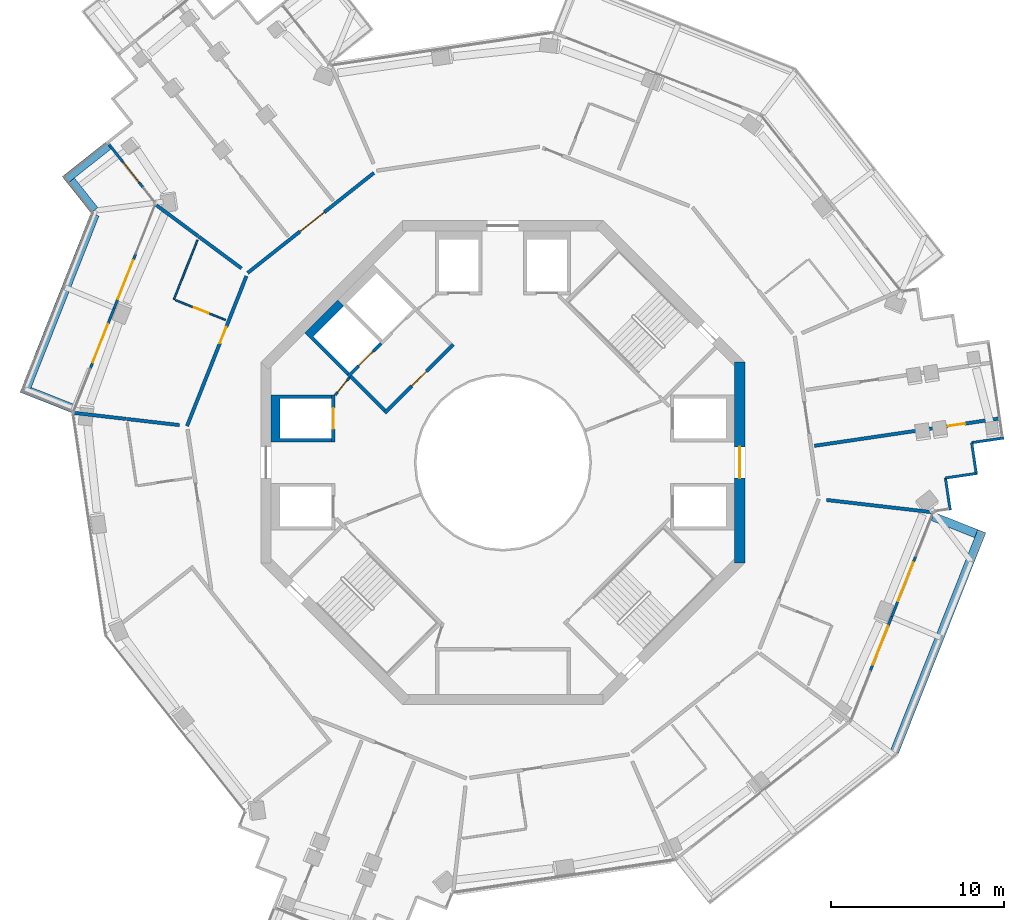
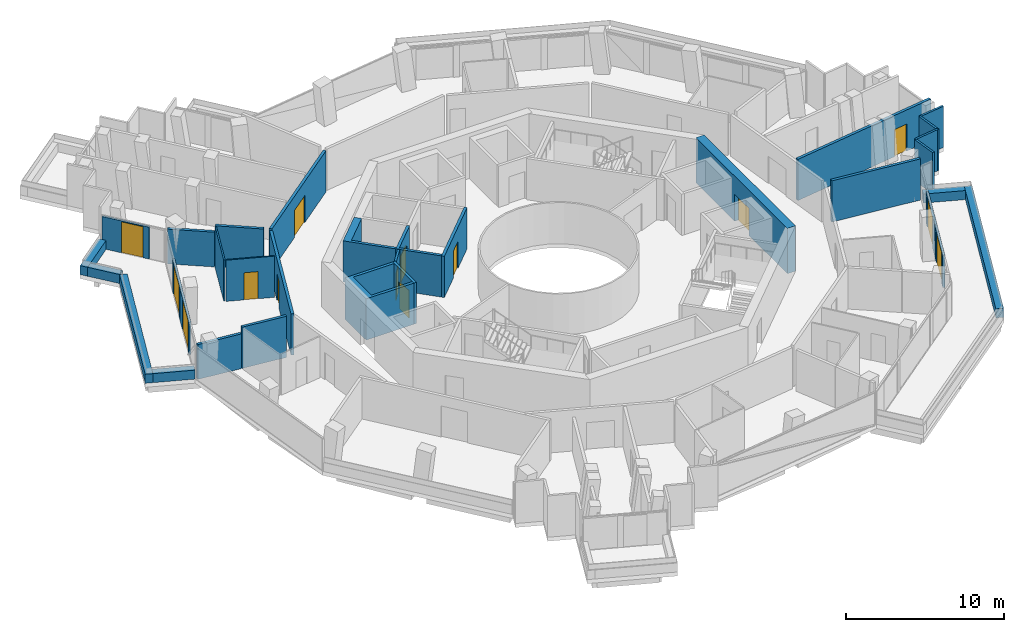
# One storey, part 16 of 21: 33 walls, 14 doors, 14 openings.
"""IFC4 building model written with IfcOpenShell, lengths in metres."""

import ifcopenshell
import ifcopenshell.guid

model = None  # the IFC model being written
_history = None  # IfcOwnerHistory: only IFC2X3 demands one
_inside = {}  # id of a spatial element -> (the spatial element, [elements in it])
_under = {}  # id of a project, library or spatial element -> (it, [spatial elements below it])
_declared = {}  # id of a project -> (the project, [libraries it declares])
_typed = {}  # id of a type object -> (the type object, [elements of that type])
_made_of = {}  # id of a material, layer set ... -> (it, [elements and type objects made of it])


def new_model(schema):
    """Start an empty IFC model of exactly this schema.

    Asked for "IFC4X3", IfcOpenShell would pick the latest addendum, in which some entities
    have other attributes; the version numbers below select the first issue.
    IFC2X3 requires an IfcOwnerHistory on every rooted entity: one is made here for all.
    """
    global model, _history
    if schema == "IFC4X3":
        model = ifcopenshell.file(schema_version=(4, 3, 0, 0))
    else:
        model = ifcopenshell.file(schema=schema)
    _inside.clear()
    _under.clear()
    _declared.clear()
    _typed.clear()
    _made_of.clear()
    _history = None
    if model.schema == "IFC2X3":
        org = make("IfcOrganization", Name="unknown")
        user = make(
            "IfcPersonAndOrganization",
            ThePerson=make("IfcPerson", FamilyName="unknown"),
            TheOrganization=org,
        )
        app = make(
            "IfcApplication",
            ApplicationDeveloper=org,
            Version="unknown",
            ApplicationFullName="unknown",
            ApplicationIdentifier="unknown",
        )
        _history = make(
            "IfcOwnerHistory",
            OwningUser=user,
            OwningApplication=app,
            ChangeAction="ADDED",
            CreationDate=0,
        )
    return model


def make(cls, **values):
    """One entity of the class cls with the attributes given. An attribute that is None is left unset."""
    return model.create_entity(
        cls, **{name: value for name, value in values.items() if value is not None}
    )


def rooted(cls, **values):
    """An entity with a GlobalId (a new one), such as an element, a storey or a relation."""
    return make(cls, GlobalId=ifcopenshell.guid.new(), OwnerHistory=_history, **values)


def si_unit(unit_type, name, prefix=None):
    """IfcSIUnit, for example si_unit("LENGTHUNIT", "METRE", prefix="MILLI")."""
    return make("IfcSIUnit", UnitType=unit_type, Prefix=prefix, Name=name)


def assignment(units):
    """IfcUnitAssignment: the units of a project."""
    return None if units is None else make("IfcUnitAssignment", Units=units)


def point(xyz):
    """IfcCartesianPoint."""
    return None if xyz is None else make("IfcCartesianPoint", Coordinates=xyz)


def direction(xyz):
    """IfcDirection."""
    return None if xyz is None else make("IfcDirection", DirectionRatios=xyz)


def frame(location, z_axis=None, x_axis=None):
    """IfcAxis2Placement3D, a coordinate frame: its origin and axes. An axis left out is left unset."""
    return make(
        "IfcAxis2Placement3D",
        Location=point(location),
        Axis=direction(z_axis),
        RefDirection=direction(x_axis),
    )


def frame_2d(location, x_axis=None):
    """IfcAxis2Placement2D, a coordinate frame in the plane: its origin and x axis."""
    return make(
        "IfcAxis2Placement2D", Location=point(location), RefDirection=direction(x_axis)
    )


def origin():
    """The frame at (0, 0, 0) with its axes left unset."""
    return frame((0.0, 0.0, 0.0))


def place(relative_to, where):
    """IfcLocalPlacement: puts the frame where relative to a parent placement (None: the world)."""
    return make(
        "IfcLocalPlacement", PlacementRelTo=relative_to, RelativePlacement=where
    )


def context(
    kind, dimensions, precision=None, world=None, true_north=None, identifier=None
):
    """IfcGeometricRepresentationContext, for example the 3D "Model" context."""
    return make(
        "IfcGeometricRepresentationContext",
        ContextIdentifier=identifier,
        ContextType=kind,
        CoordinateSpaceDimension=dimensions,
        Precision=precision,
        WorldCoordinateSystem=world,
        TrueNorth=true_north,
    )


def subcontext(parent, identifier, kind, view, scale=None):
    """IfcGeometricRepresentationSubContext, for example "Body" below "Model"."""
    return make(
        "IfcGeometricRepresentationSubContext",
        ContextIdentifier=identifier,
        ContextType=kind,
        ParentContext=parent,
        TargetScale=scale,
        TargetView=view,
    )


def project(units=None, contexts=None):
    """IfcProject with its units and contexts."""
    return rooted(
        "IfcProject",
        Name="project",
        RepresentationContexts=contexts,
        UnitsInContext=assignment(units),
    )


def spatial(cls, under=None, at=None, **own):
    """A site, building, storey or space (cls), placed at a placement, below another one or the project."""
    s = rooted(cls, ObjectPlacement=at, **own)
    if under is not None:
        _under.setdefault(under.id(), (under, []))[1].append(s)
    return s


def polyline(points):
    """IfcPolyline through the points."""
    return make("IfcPolyline", Points=[point(p) for p in points])


def profile(cls, at=None, kind="AREA", **sizes):
    """A parametric profile (cls). Its sizes go by their IFC names, for example OverallWidth=200.0."""
    return make(cls, ProfileType=kind, Position=at, **sizes)


def rectangle(**sizes):
    """IfcRectangleProfileDef."""
    return profile("IfcRectangleProfileDef", **sizes)


def outline(outer, holes=None, kind="AREA"):
    """IfcArbitraryClosedProfileDef: a profile drawn as a closed curve; with holes, ...WithVoids."""
    if holes is None:
        return make("IfcArbitraryClosedProfileDef", ProfileType=kind, OuterCurve=outer)
    return make(
        "IfcArbitraryProfileDefWithVoids",
        ProfileType=kind,
        OuterCurve=outer,
        InnerCurves=holes,
    )


def extrude(swept, where, along, depth):
    """IfcExtrudedAreaSolid: the profile swept, set in the frame where, extruded along a direction by depth."""
    return make(
        "IfcExtrudedAreaSolid",
        SweptArea=swept,
        Position=where,
        ExtrudedDirection=direction(along),
        Depth=depth,
    )


def shape(context_of_items, identifier, shape_type, items):
    """IfcShapeRepresentation: the items that make up one representation, for example the "Body"."""
    return make(
        "IfcShapeRepresentation",
        ContextOfItems=context_of_items,
        RepresentationIdentifier=identifier,
        RepresentationType=shape_type,
        Items=items,
    )


def material(Name=None, Category=None):
    """IfcMaterial."""
    return make("IfcMaterial", Name=Name, Category=Category)


def layer(
    of_material, thickness, ventilated=None, Name=None, Category=None, Priority=None
):
    """IfcMaterialLayer: one layer of a wall or slab, of a material (None: an air gap)."""
    return make(
        "IfcMaterialLayer",
        Material=of_material,
        LayerThickness=thickness,
        IsVentilated=ventilated,
        Name=Name,
        Category=Category,
        Priority=Priority,
    )


def layer_set(layers, Name=None):
    """IfcMaterialLayerSet."""
    return make("IfcMaterialLayerSet", MaterialLayers=layers, LayerSetName=Name)


def made_of(thing, what):
    """Note that an element or type object is made of a material, layer set ...; save() writes the relation."""
    if what is not None:
        _made_of.setdefault(what.id(), (what, []))[1].append(thing)
    return thing


def type_object(cls, material=None, **own):
    """A type object (cls), such as IfcWallType, which elements share."""
    return made_of(rooted(cls, **own), material)


def element(
    cls,
    number,
    at=None,
    inside=None,
    cuts=None,
    type_object=None,
    material=None,
    context=None,
    identifier="Body",
    shape_type=None,
    held_by="IfcProductDefinitionShape",
    body=None,
    shapes=None,
    **own,
):
    """One element of the class cls, such as IfcWall. Its Tag is "e" and its number.

    at: its placement. inside: the storey or other place that contains it. cuts: it is an
    opening in that element (IfcRelVoidsElement). A single representation is given by context,
    identifier, shape_type and body (its items); several are given by shapes. held_by: the class
    of the entity that holds the representations. save() writes the other relations.
    """
    e = rooted(cls, Tag="e%d" % number, ObjectPlacement=at, **own)
    if body is not None:
        shapes = [shape(context, identifier, shape_type, body)]
    if shapes is not None:
        e.Representation = make(held_by, Representations=shapes)
    if inside is not None:
        _inside.setdefault(inside.id(), (inside, []))[1].append(e)
    if cuts is not None:
        rooted(
            "IfcRelVoidsElement", RelatingBuildingElement=cuts, RelatedOpeningElement=e
        )
    if type_object is not None:
        _typed.setdefault(type_object.id(), (type_object, []))[1].append(e)
    return made_of(e, material)


def fill(opening, filler):
    """IfcRelFillsElement: the door or window that sits in an opening."""
    return rooted(
        "IfcRelFillsElement",
        RelatingOpeningElement=opening,
        RelatedBuildingElement=filler,
    )


def aggregate(whole, parts):
    """IfcRelAggregates: a whole, such as a stair, and the parts it consists of."""
    return rooted("IfcRelAggregates", RelatingObject=whole, RelatedObjects=parts)


def save(model, path):
    """Write the relations noted so far, then the file.

    IfcRelAggregates (storeys below a building ...), IfcRelContainedInSpatialStructure (elements
    in a storey), IfcRelDefinesByType, IfcRelAssociatesMaterial and IfcRelDeclares: one each for
    every whole, place, type object, material and project.
    """
    for whole, parts in _under.values():
        aggregate(whole, parts)
    for where, things in _inside.values():
        rooted(
            "IfcRelContainedInSpatialStructure",
            RelatedElements=things,
            RelatingStructure=where,
        )
    for kind, things in _typed.values():
        rooted("IfcRelDefinesByType", RelatedObjects=things, RelatingType=kind)
    for what, things in _made_of.values():
        rooted("IfcRelAssociatesMaterial", RelatedObjects=things, RelatingMaterial=what)
    for by, libraries in _declared.values():
        rooted("IfcRelDeclares", RelatingContext=by, RelatedDefinitions=libraries)
    model.write(path)


model = new_model("IFC4")

# Units and contexts
model_context = context("Model", 3, precision=1e-05, world=origin(), true_north=direction((0.0, 1.0)))
body_context = subcontext(model_context, "Body", "Model", "MODEL_VIEW")
ifc_project = project(units=[si_unit("LENGTHUNIT", "METRE"), si_unit("AREAUNIT", "SQUARE_METRE"), si_unit("VOLUMEUNIT", "CUBIC_METRE"), si_unit("PLANEANGLEUNIT", "RADIAN"), si_unit("MASSUNIT", "GRAM", prefix="KILO")], contexts=[model_context])

# Site, building, storey
site_placement = place(None, origin())
site = spatial("IfcSite", under=ifc_project, at=site_placement, CompositionType="ELEMENT")
building_placement = place(site_placement, origin())
building = spatial("IfcBuilding", under=site, at=building_placement, Name="Verdalira Terraces Hotel", CompositionType="ELEMENT")
storey_placement = place(building_placement, frame((0.0, 0.0, 190.5)))
storey = spatial("IfcBuildingStorey", under=building, at=storey_placement, Name="L46", CompositionType="ELEMENT", Elevation=190.5)

# Walls
ifc_material_1 = material(Name="Concrete C40", Category="concrete")
ifc_layer_1 = layer(ifc_material_1, 0.5)
ifc_layer_set_1 = layer_set([ifc_layer_1], Name="Balcony planter trough with tree")
wall_type_1 = type_object("IfcWallType", Name="Balcony planter trough with tree", PredefinedType="SOLIDWALL", material=ifc_layer_set_1)
wall_1_placement = place(storey_placement, frame((-22.817627, 18.322754, 0.0), z_axis=(0.0, 0.0, 1.0), x_axis=(-0.783697511, -0.621142666, 0.0)))
element("IfcWall", 1, at=wall_1_placement, inside=storey, type_object=wall_type_1, Name="Balcony planter", PredefinedType="SOLIDWALL", context=body_context, shape_type="SweptSolid", body=[
    extrude(rectangle(XDim=3.198975, YDim=0.5, at=frame_2d((1.599609, 0.0))), origin(), (0.0, 0.0, 1.0), 0.699951),
])
wall_2_placement = place(storey_placement, frame((-24.973633, 16.294922, 0.0), z_axis=(0.0, 0.0, 1.0), x_axis=(0.621159632, -0.783684064, 0.0)))
element("IfcWall", 2, at=wall_2_placement, inside=storey, type_object=wall_type_1, Name="Balcony planter", PredefinedType="SOLIDWALL", context=body_context, shape_type="SweptSolid", body=[
    extrude(rectangle(XDim=2.176758, YDim=0.5, at=frame_2d((1.088379, 0.0))), origin(), (0.0, 0.0, 1.0), 0.699951),
])
wall_3_placement = place(storey_placement, frame((-23.584961, 14.341797, 0.0), z_axis=(0.0, 0.0, 1.0), x_axis=(-0.368119816, -0.929778361, 0.0)))
element("IfcWall", 3, at=wall_3_placement, inside=storey, type_object=wall_type_1, Name="Balcony planter", PredefinedType="SOLIDWALL", context=body_context, shape_type="SweptSolid", body=[
    extrude(rectangle(XDim=11.152588, YDim=0.5, at=frame_2d((5.576172, 0.0))), origin(), (0.0, 0.0, 1.0), 0.699951),
])
wall_4_placement = place(storey_placement, frame((-27.365967, 4.113037, 0.0), z_axis=(0.0, 0.0, 1.0), x_axis=(0.92976856, -0.36814457, 0.0)))
element("IfcWall", 4, at=wall_4_placement, inside=storey, type_object=wall_type_1, Name="Balcony planter", PredefinedType="SOLIDWALL", context=body_context, shape_type="SweptSolid", body=[
    extrude(rectangle(XDim=2.698975, YDim=0.5, at=frame_2d((1.349609, 0.0))), origin(), (0.0, 0.0, 1.0), 0.699951),
])
wall_5_placement = place(storey_placement, frame((22.638428, -16.732178, 0.0), z_axis=(0.0, 0.0, 1.0), x_axis=(0.368127914, 0.929775155, 0.0)))
element("IfcWall", 5, at=wall_5_placement, inside=storey, type_object=wall_type_1, Name="Balcony planter", PredefinedType="SOLIDWALL", context=body_context, shape_type="SweptSolid", body=[
    extrude(rectangle(XDim=13.723389, YDim=0.5, at=frame_2d((6.861816, 0.0))), origin(), (0.0, 0.0, 1.0), 0.699951),
])
wall_6_placement = place(storey_placement, frame((27.365967, -4.113037, 0.0), z_axis=(0.0, 0.0, 1.0), x_axis=(-0.92976856, 0.36814457, 0.0)))
element("IfcWall", 6, at=wall_6_placement, inside=storey, type_object=wall_type_1, Name="Balcony planter", PredefinedType="SOLIDWALL", context=body_context, shape_type="SweptSolid", body=[
    extrude(rectangle(XDim=2.698975, YDim=0.5, at=frame_2d((1.349609, 0.0))), origin(), (0.0, 0.0, 1.0), 0.699951),
])
ifc_material_2 = material(Name="Moisture-resistant gypsum board partition")
ifc_layer_2 = layer(ifc_material_2, 0.10009765625)
ifc_layer_set_2 = layer_set([ifc_layer_2], Name="Bathroom partition 100 mm")
wall_type_2 = type_object("IfcWallType", Name="Bathroom partition 100 mm", PredefinedType="PARTITIONING", material=ifc_layer_set_2)
wall_7_placement = place(storey_placement, frame((-19.025146, 9.423828, 0.0), z_axis=(0.0, 0.0, 1.0), x_axis=(0.368126804, 0.929775595, 0.0)))
element("IfcWall", 7, at=wall_7_placement, inside=storey, type_object=wall_type_2, Name="Bathroom partition", PredefinedType="PARTITIONING", context=body_context, shape_type="SweptSolid", body=[
    extrude(rectangle(XDim=3.703857, YDim=0.100098, at=frame_2d((1.852051, 0.0))), origin(), (0.0, 0.0, 1.0), 3.189941),
])

# Wall, opening, door
wall_8_placement = place(storey_placement, frame((-18.932373, 9.386963, 0.0), z_axis=(0.0, 0.0, 1.0), x_axis=(0.929795945, -0.3680754, 0.0)))
wall_8 = element("IfcWall", 8, at=wall_8_placement, inside=storey, type_object=wall_type_2, Name="Bathroom partition", PredefinedType="PARTITIONING", context=body_context, shape_type="SweptSolid", body=[
    extrude(rectangle(XDim=3.100098, YDim=0.100098, at=frame_2d((1.550049, 0.0))), origin(), (0.0, 0.0, 1.0), 3.189941),
])
opening_1_placement = place(wall_8_placement, frame((1.149902, 0.0, 0.0)))
opening_1 = element("IfcOpeningElement", 9, at=opening_1_placement, cuts=wall_8, Name="Opening L46-105", PredefinedType="OPENING", context=body_context, shape_type="SweptSolid", body=[
    extrude(rectangle(XDim=0.899902, YDim=2.100098, at=frame_2d((0.449951, 1.050049))), frame((0.0, 0.060059, 0.0), z_axis=(0.0, -1.0, 0.0), x_axis=(1.0, 0.0, 0.0)), (0.0, 0.0, 1.0), 0.120117),
])
ifc_material_3 = material(Name="Timber door", Category="wood")
door_type_1 = type_object("IfcDoorType", Name="Bathroom door 900 x 2100", OperationType="NOTDEFINED", PredefinedType="DOOR", material=ifc_material_3)
door_1_placement = place(opening_1_placement, origin())
door_1 = element("IfcDoor", 10, at=door_1_placement, inside=storey, type_object=door_type_1, Name="Bathroom door 4602", OperationType="SINGLE_SWING_LEFT", OverallHeight=2.10009765625, OverallWidth=0.89990234375, PredefinedType="DOOR", context=body_context, shape_type="SweptSolid", body=[
    extrude(rectangle(XDim=0.899902, YDim=2.100098, at=frame_2d((0.449951, 1.050049))), frame((0.0, 0.024902, 0.0), z_axis=(0.0, -1.0, 0.0), x_axis=(1.0, 0.0, 0.0)), (0.0, 0.0, 1.0), 0.050049),
])
fill(opening_1, door_1)

# Wall
ifc_material_4 = material(Name="Concrete C50", Category="concrete")
ifc_layer_3 = layer(ifc_material_4, 0.199951171875)
ifc_layer_set_3 = layer_set([ifc_layer_3], Name="Core RC wall 200 C50")
wall_type_3 = type_object("IfcWallType", Name="Core RC wall 200 C50", PredefinedType="SOLIDWALL", material=ifc_layer_set_3)
wall_9_placement = place(storey_placement, origin())
element("IfcWall", 11, at=wall_9_placement, inside=storey, type_object=wall_type_3, Name="L46 shaft wall W1", PredefinedType="SOLIDWALL", context=body_context, shape_type="SweptSolid", body=[
    extrude(outline(polyline([(-13.399902, 3.899902), (-9.899902, 3.899902), (-9.899902, 3.699951), (-12.899902, 3.699951), (-12.899902, 1.399902), (-9.899902, 1.399902), (-9.899902, 1.199951), (-13.399902, 1.199951), (-13.399902, 3.899902)])), origin(), (0.0, 0.0, 1.0), 3.189941),
])

# Wall, opening, door
wall_10_placement = place(storey_placement, frame((-9.800049, 1.199951, 0.0), z_axis=(0.0, 0.0, 1.0), x_axis=(0.0, 1.0, 0.0)))
wall_10 = element("IfcWall", 12, at=wall_10_placement, inside=storey, type_object=wall_type_3, Name="L46 shaft front wall W1", PredefinedType="SOLIDWALL", context=body_context, shape_type="SweptSolid", body=[
    extrude(rectangle(XDim=2.699951, YDim=0.199951, at=frame_2d((1.350098, 0.0))), origin(), (0.0, 0.0, 1.0), 3.189941),
])
opening_2_placement = place(wall_10_placement, frame((0.75, 0.0, 0.0)))
opening_2 = element("IfcOpeningElement", 13, at=opening_2_placement, cuts=wall_10, Name="Opening LD-L46-806", PredefinedType="OPENING", context=body_context, shape_type="SweptSolid", body=[
    extrude(rectangle(XDim=1.199951, YDim=2.100098, at=frame_2d((0.600098, 1.050049))), frame((0.0, 0.109863, 0.0), z_axis=(0.0, -1.0, 0.0), x_axis=(1.0, 0.0, 0.0)), (0.0, 0.0, 1.0), 0.219971),
])
ifc_material_5 = material(Name="Stainless steel", Category="steel")
door_type_2 = type_object("IfcDoorType", Name="Landing door 1200 x 2100", OperationType="NOTDEFINED", PredefinedType="DOOR", material=ifc_material_5)
door_2_placement = place(opening_2_placement, origin())
door_2 = element("IfcDoor", 14, at=door_2_placement, inside=storey, type_object=door_type_2, Name="Lift landing door HR5 L46", OperationType="DOUBLE_DOOR_SLIDING", OverallHeight=2.10009765625, OverallWidth=1.199951171875, PredefinedType="DOOR", context=body_context, shape_type="SweptSolid", body=[
    extrude(rectangle(XDim=1.199951, YDim=2.100098, at=frame_2d((0.600098, 1.050049))), frame((0.0, 0.024902, 0.0), z_axis=(0.0, -1.0, 0.0), x_axis=(1.0, 0.0, 0.0)), (0.0, 0.0, 1.0), 0.050049),
])
fill(opening_2, door_2)

# Wall
wall_11_placement = place(storey_placement, origin())
element("IfcWall", 15, at=wall_11_placement, inside=storey, type_object=wall_type_3, Name="L46 shaft wall F2", PredefinedType="SOLIDWALL", context=body_context, shape_type="SweptSolid", body=[
    extrude(outline(polyline([(-11.455078, 7.495361), (-9.545898, 9.404541), (-9.192383, 9.051025), (-10.960205, 7.283203), (-8.874268, 5.197266), (-9.015625, 5.055908), (-11.455078, 7.495361)])), origin(), (0.0, 0.0, 1.0), 3.189941),
])

# Wall, opening, door
wall_12_placement = place(storey_placement, frame((-7.035645, 6.894287, 0.0), z_axis=(0.0, 0.0, 1.0), x_axis=(-0.707106781, -0.707106781, 0.0)))
wall_12 = element("IfcWall", 16, at=wall_12_placement, inside=storey, type_object=wall_type_3, Name="L46 shaft front wall F2", PredefinedType="SOLIDWALL", context=body_context, shape_type="SweptSolid", body=[
    extrude(rectangle(XDim=2.699951, YDim=0.199951, at=frame_2d((1.350098, 0.0))), origin(), (0.0, 0.0, 1.0), 3.189941),
])
opening_3_placement = place(wall_12_placement, frame((0.649902, 0.0, 0.0)))
opening_3 = element("IfcOpeningElement", 17, at=opening_3_placement, cuts=wall_12, Name="Opening LD-L46-809", PredefinedType="OPENING", context=body_context, shape_type="SweptSolid", body=[
    extrude(rectangle(XDim=1.199951, YDim=2.100098, at=frame_2d((0.600098, 1.050049))), frame((0.0, 0.109863, 0.0), z_axis=(0.0, -1.0, 0.0), x_axis=(1.0, 0.0, 0.0)), (0.0, 0.0, 1.0), 0.219971),
])
door_3_placement = place(opening_3_placement, origin())
door_3 = element("IfcDoor", 18, at=door_3_placement, inside=storey, type_object=door_type_2, Name="Lift landing door LF12 L46", OperationType="DOUBLE_DOOR_SLIDING", OverallHeight=2.10009765625, OverallWidth=1.199951171875, PredefinedType="DOOR", context=body_context, shape_type="SweptSolid", body=[
    extrude(rectangle(XDim=1.199951, YDim=2.100098, at=frame_2d((0.600098, 1.050049))), frame((0.0, 0.024902, 0.0), z_axis=(0.0, -1.0, 0.0), x_axis=(1.0, 0.0, 0.0)), (0.0, 0.0, 1.0), 0.050049),
])
fill(opening_3, door_3)

wall_13_placement = place(storey_placement, frame((-2.86377, 6.823486, 0.0), z_axis=(0.0, 0.0, 1.0), x_axis=(-0.707106781, -0.707106781, 0.0)))
wall_13 = element("IfcWall", 19, at=wall_13_placement, inside=storey, type_object=wall_type_3, Name="L46 fire lobby wall", PredefinedType="SOLIDWALL", context=body_context, shape_type="SweptSolid", body=[
    extrude(rectangle(XDim=5.599854, YDim=0.199951, at=frame_2d((2.799805, 0.0))), origin(), (0.0, 0.0, 1.0), 3.189941),
])
opening_4_placement = place(wall_13_placement, frame((2.199951, 0.0, 0.0)))
opening_4 = element("IfcOpeningElement", 20, at=opening_4_placement, cuts=wall_13, Name="Opening L46-819", PredefinedType="OPENING", context=body_context, shape_type="SweptSolid", body=[
    extrude(rectangle(XDim=1.199951, YDim=2.100098, at=frame_2d((0.600098, 1.050049))), frame((0.0, 0.109863, 0.0), z_axis=(0.0, -1.0, 0.0), x_axis=(1.0, 0.0, 0.0)), (0.0, 0.0, 1.0), 0.219971),
])
ifc_material_6 = material(Name="Steel fire door", Category="steel")
door_type_3 = type_object("IfcDoorType", Name="Lobby door 1200 x 2100", OperationType="NOTDEFINED", PredefinedType="DOOR", material=ifc_material_6)
door_4_placement = place(opening_4_placement, origin())
door_4 = element("IfcDoor", 21, at=door_4_placement, inside=storey, type_object=door_type_3, Name="Fire lobby door L46", OperationType="SINGLE_SWING_LEFT", OverallHeight=2.10009765625, OverallWidth=1.199951171875, PredefinedType="DOOR", context=body_context, shape_type="SweptSolid", body=[
    extrude(rectangle(XDim=1.199951, YDim=2.100098, at=frame_2d((0.600098, 1.050049))), frame((0.0, 0.024902, 0.0), z_axis=(0.0, -1.0, 0.0), x_axis=(1.0, 0.0, 0.0)), (0.0, 0.0, 1.0), 0.050049),
])
fill(opening_4, door_4)

# Wall
wall_14_placement = place(storey_placement, frame((-6.823486, 3.005127, 0.0), z_axis=(0.0, 0.0, 1.0), x_axis=(-0.707106781, 0.707106781, 0.0)))
element("IfcWall", 22, at=wall_14_placement, inside=storey, type_object=wall_type_3, Name="L46 fire lobby wall", PredefinedType="SOLIDWALL", context=body_context, shape_type="SweptSolid", body=[
    extrude(rectangle(XDim=2.800049, YDim=0.199951, at=frame_2d((1.399902, 0.0))), origin(), (0.0, 0.0, 1.0), 3.189941),
])

# Wall, opening, door
ifc_material_7 = material(Name="Gypsum board partition")
ifc_layer_4 = layer(ifc_material_7, 0.14990234375)
ifc_layer_set_4 = layer_set([ifc_layer_4], Name="Core partition 150 mm")
wall_type_4 = type_object("IfcWallType", Name="Core partition 150 mm", PredefinedType="PARTITIONING", material=ifc_layer_set_4)
wall_15_placement = place(storey_placement, frame((-8.874268, 4.914307, 0.0), z_axis=(0.0, 0.0, 1.0), x_axis=(-0.631274009, -0.775559878, 0.0)))
wall_15 = element("IfcWall", 23, at=wall_15_placement, inside=storey, type_object=wall_type_4, Name="Room partition L46", PredefinedType="PARTITIONING", context=body_context, shape_type="SweptSolid", body=[
    extrude(rectangle(XDim=1.307861, YDim=0.149902, at=frame_2d((0.653809, 0.0))), origin(), (0.0, 0.0, 1.0), 3.189941),
])
opening_5_placement = place(wall_15_placement, frame((0.204102, 0.0, 0.0)))
opening_5 = element("IfcOpeningElement", 24, at=opening_5_placement, cuts=wall_15, Name="Opening L46-821", PredefinedType="OPENING", context=body_context, shape_type="SweptSolid", body=[
    extrude(rectangle(XDim=0.899902, YDim=2.100098, at=frame_2d((0.449951, 1.050049))), frame((0.0, 0.084961, 0.0), z_axis=(0.0, -1.0, 0.0), x_axis=(1.0, 0.0, 0.0)), (0.0, 0.0, 1.0), 0.169922),
])
ifc_material_8 = material(Name="Steel fire door", Category="steel")
door_type_4 = type_object("IfcDoorType", Name="Core room door 900 x 2100", OperationType="NOTDEFINED", PredefinedType="DOOR", material=ifc_material_8)
door_5_placement = place(opening_5_placement, origin())
door_5 = element("IfcDoor", 25, at=door_5_placement, inside=storey, type_object=door_type_4, Name="Door L46 room3", OperationType="SINGLE_SWING_LEFT", OverallHeight=2.10009765625, OverallWidth=0.89990234375, PredefinedType="DOOR", context=body_context, shape_type="SweptSolid", body=[
    extrude(rectangle(XDim=0.899902, YDim=2.100098, at=frame_2d((0.449951, 1.050049))), frame((0.0, 0.024902, 0.0), z_axis=(0.0, -1.0, 0.0), x_axis=(1.0, 0.0, 0.0)), (0.0, 0.0, 1.0), 0.050049),
])
fill(opening_5, door_5)

ifc_material_9 = material(Name="Concrete C60", Category="concrete")
ifc_layer_5 = layer(ifc_material_9, 0.60009765625)
ifc_layer_set_5 = layer_set([ifc_layer_5], Name="Core wall 600 C60")
wall_type_5 = type_object("IfcWallType", Name="Core wall 600 C60", PredefinedType="SHEAR", material=ifc_layer_set_5)
wall_16_placement = place(storey_placement, frame((13.699951, -5.799072, 0.0), z_axis=(0.0, 0.0, 1.0), x_axis=(0.0, 1.0, 0.0)))
wall_16 = element("IfcWall", 26, at=wall_16_placement, inside=storey, type_object=wall_type_5, Name="Core wall CW-L46-1", PredefinedType="SHEAR", context=body_context, shape_type="SweptSolid", body=[
    extrude(rectangle(XDim=11.598145, YDim=0.600098, at=frame_2d((5.799072, 0.0))), origin(), (0.0, 0.0, 1.0), 3.5),
])
opening_6_placement = place(wall_16_placement, frame((4.898926, 0.0, 0.0)))
opening_6 = element("IfcOpeningElement", 27, at=opening_6_placement, cuts=wall_16, Name="Opening L46-813", PredefinedType="OPENING", context=body_context, shape_type="SweptSolid", body=[
    extrude(rectangle(XDim=1.800049, YDim=2.100098, at=frame_2d((0.899902, 1.050049))), frame((0.0, 0.310059, 0.0), z_axis=(0.0, -1.0, 0.0), x_axis=(1.0, 0.0, 0.0)), (0.0, 0.0, 1.0), 0.620117),
])
ifc_material_10 = material(Name="Steel fire door", Category="steel")
door_type_5 = type_object("IfcDoorType", Name="Core entry door pair 1800 x 2100", OperationType="NOTDEFINED", PredefinedType="DOOR", material=ifc_material_10)
door_6_placement = place(opening_6_placement, origin())
door_6 = element("IfcDoor", 28, at=door_6_placement, inside=storey, type_object=door_type_5, Name="Core entry door L46 0", OperationType="DOUBLE_DOOR_SINGLE_SWING", OverallHeight=2.10009765625, OverallWidth=1.800048828125, PredefinedType="DOOR", context=body_context, shape_type="SweptSolid", body=[
    extrude(rectangle(XDim=1.800049, YDim=2.100098, at=frame_2d((0.899902, 1.050049))), frame((0.0, 0.024902, 0.0), z_axis=(0.0, -1.0, 0.0), x_axis=(1.0, 0.0, 0.0)), (0.0, 0.0, 1.0), 0.050049),
])
fill(opening_6, door_6)

# Walls
ifc_material_11 = material(Name="Fire-rated gypsum board wall")
ifc_layer_6 = layer(ifc_material_11, 0.199951171875)
ifc_layer_set_6 = layer_set([ifc_layer_6], Name="Demising wall 200 mm")
wall_type_6 = type_object("IfcWallType", Name="Demising wall 200 mm", PredefinedType="SOLIDWALL", material=ifc_layer_set_6)
wall_17_placement = place(storey_placement, frame((-18.707275, 2.164551, 0.0), z_axis=(0.0, 0.0, 1.0), x_axis=(-0.993376903, 0.114901389, 0.0)))
element("IfcWall", 29, at=wall_17_placement, inside=storey, type_object=wall_type_6, Name="Demising wall", PredefinedType="SOLIDWALL", context=body_context, shape_type="SweptSolid", body=[
    extrude(rectangle(XDim=3.074463, YDim=0.199951, at=frame_2d((1.537109, 0.0))), origin(), (0.0, 0.0, 1.0), 3.189941),
])
wall_18_placement = place(storey_placement, frame((-15.118652, 11.228027, 0.0), z_axis=(0.0, 0.0, 1.0), x_axis=(-0.802820945, 0.596220203, 0.0)))
element("IfcWall", 30, at=wall_18_placement, inside=storey, type_object=wall_type_6, Name="Demising wall", PredefinedType="SOLIDWALL", context=body_context, shape_type="SweptSolid", body=[
    extrude(rectangle(XDim=3.074707, YDim=0.199951, at=frame_2d((1.537354, 0.0))), origin(), (0.0, 0.0, 1.0), 3.189941),
])
wall_19_placement = place(storey_placement, frame((24.798584, -2.869385, 0.0), z_axis=(0.0, 0.0, 1.0), x_axis=(-0.993371918, 0.114944478, 0.0)))
element("IfcWall", 31, at=wall_19_placement, inside=storey, type_object=wall_type_6, Name="Demising wall", PredefinedType="SOLIDWALL", context=body_context, shape_type="SweptSolid", body=[
    extrude(rectangle(XDim=6.131836, YDim=0.199951, at=frame_2d((3.065918, 0.0))), origin(), (0.0, 0.0, 1.0), 3.189941),
])

# Wall, opening, door
wall_20_placement = place(storey_placement, frame((28.64502, 2.536133, 0.0), z_axis=(0.0, 0.0, 1.0), x_axis=(-0.989273099, -0.146077839, 0.0)))
wall_20 = element("IfcWall", 32, at=wall_20_placement, inside=storey, type_object=wall_type_6, Name="Demising wall", PredefinedType="SOLIDWALL", context=body_context, shape_type="SweptSolid", body=[
    extrude(rectangle(XDim=10.749756, YDim=0.199951, at=frame_2d((5.375, 0.0))), origin(), (0.0, 0.0, 1.0), 3.189941),
])
opening_7_placement = place(wall_20_placement, frame((1.949951, 0.0, 0.0)))
opening_7 = element("IfcOpeningElement", 33, at=opening_7_placement, cuts=wall_20, Name="Opening L46-119", PredefinedType="OPENING", context=body_context, shape_type="SweptSolid", body=[
    extrude(rectangle(XDim=1.0, YDim=2.100098, at=frame_2d((0.5, 1.050049))), frame((0.0, 0.109863, 0.0), z_axis=(0.0, -1.0, 0.0), x_axis=(1.0, 0.0, 0.0)), (0.0, 0.0, 1.0), 0.219971),
])
ifc_material_12 = material(Name="Timber fire door", Category="wood")
door_type_6 = type_object("IfcDoorType", Name="Public room door 1000 x 2100", OperationType="NOTDEFINED", PredefinedType="DOOR", material=ifc_material_12)
door_7_placement = place(opening_7_placement, origin())
door_7 = element("IfcDoor", 34, at=door_7_placement, inside=storey, type_object=door_type_6, Name="Public room door 4608", OperationType="SINGLE_SWING_LEFT", OverallHeight=2.10009765625, OverallWidth=1.0, PredefinedType="DOOR", context=body_context, shape_type="SweptSolid", body=[
    extrude(rectangle(XDim=1.0, YDim=2.100098, at=frame_2d((0.5, 1.050049))), frame((0.0, 0.024902, 0.0), z_axis=(0.0, -1.0, 0.0), x_axis=(1.0, 0.0, 0.0)), (0.0, 0.0, 1.0), 0.050049),
])
fill(opening_7, door_7)

# Walls
ifc_material_13 = material(Name="Fire-rated gypsum board wall")
ifc_layer_7 = layer(ifc_material_13, 0.199951171875)
ifc_layer_set_7 = layer_set([ifc_layer_7], Name="Demising wall 200 mm to beam soffit")
wall_type_7 = type_object("IfcWallType", Name="Demising wall 200 mm to beam soffit", PredefinedType="SOLIDWALL", material=ifc_layer_set_7)
for number, where, z_axis, x_axis, name in (
    (35, (-21.807129, 2.523193, 0.0), (0.0, 0.0, 1.0), (-0.993370178, 0.114959513, 0.0), "Demising wall"),
    (36, (-17.624023, 13.088623, 0.0), (0.0, 0.0, 1.0), (-0.802773785, 0.596283699, 0.0), "Demising wall"),
):
    element("IfcWall", number, at=place(storey_placement, frame(where, z_axis=z_axis, x_axis=x_axis)), inside=storey, type_object=wall_type_7, Name=name, PredefinedType="SOLIDWALL", context=body_context, shape_type="SweptSolid", body=[
        extrude(rectangle(XDim=3.011475, YDim=0.199951, at=frame_2d((1.505859, 0.0))), origin(), (0.0, 0.0, 1.0), 2.689941),
    ])

# Wall, opening, door
ifc_material_14 = material(Name="Fire-rated gypsum board wall")
ifc_layer_8 = layer(ifc_material_14, 0.199951171875)
ifc_layer_set_8 = layer_set([ifc_layer_8], Name="Guest corridor wall 200 mm")
wall_type_8 = type_object("IfcWallType", Name="Guest corridor wall 200 mm", PredefinedType="SOLIDWALL", material=ifc_layer_set_8)
wall_21_placement = place(storey_placement, frame((-18.262939, 2.113037, 0.0), z_axis=(0.0, 0.0, 1.0), x_axis=(0.368126327, 0.929775783, 0.0)))
wall_21 = element("IfcWall", 37, at=wall_21_placement, inside=storey, type_object=wall_type_8, Name="Guest corridor wall", PredefinedType="SOLIDWALL", context=body_context, shape_type="SweptSolid", body=[
    extrude(rectangle(XDim=9.31665, YDim=0.199951, at=frame_2d((4.658203, 0.0))), origin(), (0.0, 0.0, 1.0), 3.189941),
])
opening_8_placement = place(wall_21_placement, frame((5.149902, 0.0, 0.0)))
opening_8 = element("IfcOpeningElement", 38, at=opening_8_placement, cuts=wall_21, Name="Opening L46-104", PredefinedType="OPENING", context=body_context, shape_type="SweptSolid", body=[
    extrude(rectangle(XDim=1.0, YDim=2.100098, at=frame_2d((0.5, 1.050049))), frame((0.0, 0.109863, 0.0), z_axis=(0.0, -1.0, 0.0), x_axis=(1.0, 0.0, 0.0)), (0.0, 0.0, 1.0), 0.219971),
])
ifc_material_15 = material(Name="Timber fire door", Category="wood")
door_type_7 = type_object("IfcDoorType", Name="Guest entry door 1000 x 2100", OperationType="NOTDEFINED", PredefinedType="DOOR", material=ifc_material_15)
door_8_placement = place(opening_8_placement, origin())
door_8 = element("IfcDoor", 39, at=door_8_placement, inside=storey, type_object=door_type_7, Name="Guest entry door 4602", OperationType="SINGLE_SWING_LEFT", OverallHeight=2.10009765625, OverallWidth=1.0, PredefinedType="DOOR", context=body_context, shape_type="SweptSolid", body=[
    extrude(rectangle(XDim=1.0, YDim=2.100098, at=frame_2d((0.5, 1.050049))), frame((0.0, 0.024902, 0.0), z_axis=(0.0, -1.0, 0.0), x_axis=(1.0, 0.0, 0.0)), (0.0, 0.0, 1.0), 0.050049),
])
fill(opening_8, door_8)

wall_22_placement = place(storey_placement, frame((-14.759521, 10.961426, 0.0), z_axis=(0.0, 0.0, 1.0), x_axis=(0.783683297, 0.621160599, 0.0)))
wall_22 = element("IfcWall", 40, at=wall_22_placement, inside=storey, type_object=wall_type_8, Name="Guest corridor wall", PredefinedType="SOLIDWALL", context=body_context, shape_type="SweptSolid", body=[
    extrude(rectangle(XDim=9.31665, YDim=0.199951, at=frame_2d((4.658203, 0.0))), origin(), (0.0, 0.0, 1.0), 3.189941),
])
opening_9_placement = place(wall_22_placement, frame((3.85498, 0.0, 0.0)))
opening_9 = element("IfcOpeningElement", 41, at=opening_9_placement, cuts=wall_22, Name="Opening L46-101", PredefinedType="OPENING", context=body_context, shape_type="SweptSolid", body=[
    extrude(rectangle(XDim=1.800049, YDim=2.100098, at=frame_2d((0.899902, 1.050049))), frame((0.0, 0.109863, 0.0), z_axis=(0.0, -1.0, 0.0), x_axis=(1.0, 0.0, 0.0)), (0.0, 0.0, 1.0), 0.219971),
])
ifc_material_16 = material(Name="Timber fire door", Category="wood")
door_type_8 = type_object("IfcDoorType", Name="Public room double door 1800 x 2100", OperationType="NOTDEFINED", PredefinedType="DOOR", material=ifc_material_16)
door_9_placement = place(opening_9_placement, origin())
door_9 = element("IfcDoor", 42, at=door_9_placement, inside=storey, type_object=door_type_8, Name="Public room double door 4601", OperationType="DOUBLE_DOOR_SINGLE_SWING", OverallHeight=2.10009765625, OverallWidth=1.800048828125, PredefinedType="DOOR", context=body_context, shape_type="SweptSolid", body=[
    extrude(rectangle(XDim=1.800049, YDim=2.100098, at=frame_2d((0.899902, 1.050049))), frame((0.0, 0.024902, 0.0), z_axis=(0.0, -1.0, 0.0), x_axis=(1.0, 0.0, 0.0)), (0.0, 0.0, 1.0), 0.050049),
])
fill(opening_9, door_9)

# Walls
ifc_material_17 = material(Name="Terracotta cladding", Category="masonry")
ifc_layer_9 = layer(ifc_material_17, 0.14990234375)
ifc_layer_set_9 = layer_set([ifc_layer_9], Name="Terracotta clad wall 150")
wall_type_9 = type_object("IfcWallType", Name="Terracotta clad wall 150", PredefinedType="SOLIDWALL", material=ifc_layer_set_9)
wall_23_placement = place(storey_placement, frame((25.862793, -2.751465, 0.0), z_axis=(0.0, 0.0, 1.0), x_axis=(-0.146086211, 0.989271863, 0.0)))
element("IfcWall", 43, at=wall_23_placement, inside=storey, type_object=wall_type_9, Name="Terracotta cladding wall", PredefinedType="SOLIDWALL", context=body_context, shape_type="SweptSolid", body=[
    extrude(rectangle(XDim=1.875, YDim=0.149902, at=frame_2d((0.9375, 0.0))), origin(), (0.0, 0.0, 1.0), 3.189941),
])
wall_24_placement = place(storey_placement, frame((25.588867, -0.896484, 0.0), z_axis=(0.0, 0.0, 1.0), x_axis=(0.989271089, 0.146091452, 0.0)))
element("IfcWall", 44, at=wall_24_placement, inside=storey, type_object=wall_type_9, Name="Terracotta cladding wall", PredefinedType="SOLIDWALL", context=body_context, shape_type="SweptSolid", body=[
    extrude(rectangle(XDim=1.799805, YDim=0.149902, at=frame_2d((0.899902, 0.0))), origin(), (0.0, 0.0, 1.0), 3.189941),
])
for number, where, z_axis, x_axis, name in (
    (45, (27.380371, -0.707764, 0.0), (0.0, 0.0, 1.0), (-0.146086211, 0.989271863, 0.0), "Terracotta cladding wall"),
    (46, (27.106445, 1.147217, 0.0), (0.0, 0.0, 1.0), (0.989290672, 0.145958784, 0.0), "Terracotta cladding wall"),
):
    element("IfcWall", number, at=place(storey_placement, frame(where, z_axis=z_axis, x_axis=x_axis)), inside=storey, type_object=wall_type_9, Name=name, PredefinedType="SOLIDWALL", context=body_context, shape_type="SweptSolid", body=[
        extrude(rectangle(XDim=1.875, YDim=0.149902, at=frame_2d((0.9375, 0.0))), origin(), (0.0, 0.0, 1.0), 3.189941),
    ])

# Wall, opening, door
ifc_material_18 = material(Name="Terracotta cladding", Category="masonry")
ifc_layer_10 = layer(ifc_material_18, 0.14990234375)
ifc_layer_set_10 = layer_set([ifc_layer_10], Name="Terracotta door pier 150")
wall_type_10 = type_object("IfcWallType", Name="Terracotta door pier 150", PredefinedType="SOLIDWALL", material=ifc_layer_set_10)
wall_25_placement = place(storey_placement, frame((-22.776855, 18.393555, 0.0), z_axis=(0.0, 0.0, 1.0), x_axis=(0.621117776, -0.783717238, 0.0)))
wall_25 = element("IfcWall", 47, at=wall_25_placement, inside=storey, type_object=wall_type_10, Name="Terracotta door pier", PredefinedType="SOLIDWALL", context=body_context, shape_type="SweptSolid", body=[
    extrude(rectangle(XDim=3.210205, YDim=0.149902, at=frame_2d((1.60498, 0.0))), origin(), (0.0, 0.0, 1.0), 2.475098),
])
opening_10_placement = place(wall_25_placement, frame((1.310059, 0.0, 0.0)))
opening_10 = element("IfcOpeningElement", 48, at=opening_10_placement, cuts=wall_25, Name="Opening L46-B03", PredefinedType="OPENING", context=body_context, shape_type="SweptSolid", body=[
    extrude(rectangle(XDim=1.5, YDim=2.399902, at=frame_2d((0.75, 1.199951))), frame((0.0, 0.084961, 0.0), z_axis=(0.0, -1.0, 0.0), x_axis=(1.0, 0.0, 0.0)), (0.0, 0.0, 1.0), 0.169922),
])
ifc_material_19 = material(Name="Clear glass", Category="glass")
door_type_9 = type_object("IfcDoorType", Name="Balcony sliding door 1500x2400", OperationType="NOTDEFINED", PredefinedType="DOOR", material=ifc_material_19)
door_10_placement = place(opening_10_placement, origin())
door_10 = element("IfcDoor", 49, at=door_10_placement, inside=storey, type_object=door_type_9, Name="Balcony sliding door", OperationType="SLIDING_TO_LEFT", OverallHeight=2.39990234375, OverallWidth=1.5, PredefinedType="DOOR", context=body_context, shape_type="SweptSolid", body=[
    extrude(rectangle(XDim=1.5, YDim=2.399902, at=frame_2d((0.75, 1.199951))), frame((0.0, 0.024902, 0.0), z_axis=(0.0, -1.0, 0.0), x_axis=(1.0, 0.0, 0.0)), (0.0, 0.0, 1.0), 0.050049),
])
fill(opening_10, door_10)

wall_26_placement = place(storey_placement, frame((-21.233398, 12.063721, 0.0), z_axis=(0.0, 0.0, 1.0), x_axis=(-0.368157089, -0.929763603, 0.0)))
wall_26 = element("IfcWall", 50, at=wall_26_placement, inside=storey, type_object=wall_type_10, Name="Terracotta door pier", PredefinedType="SOLIDWALL", context=body_context, shape_type="SweptSolid", body=[
    extrude(rectangle(XDim=3.399902, YDim=0.149902, at=frame_2d((1.699951, 0.0))), origin(), (0.0, 0.0, 1.0), 2.475098),
])
opening_11_placement = place(wall_26_placement, frame((0.399902, 0.0, 0.0)))
opening_11 = element("IfcOpeningElement", 51, at=opening_11_placement, cuts=wall_26, Name="Opening L46-B04", PredefinedType="OPENING", context=body_context, shape_type="SweptSolid", body=[
    extrude(rectangle(XDim=2.399902, YDim=2.399902, at=frame_2d((1.199951, 1.199951))), frame((0.0, 0.084961, 0.0), z_axis=(0.0, -1.0, 0.0), x_axis=(1.0, 0.0, 0.0)), (0.0, 0.0, 1.0), 0.169922),
])
ifc_material_20 = material(Name="Clear glass", Category="glass")
door_type_10 = type_object("IfcDoorType", Name="Balcony sliding door 2400x2400", OperationType="NOTDEFINED", PredefinedType="DOOR", material=ifc_material_20)
door_11_placement = place(opening_11_placement, origin())
door_11 = element("IfcDoor", 52, at=door_11_placement, inside=storey, type_object=door_type_10, Name="Balcony sliding door", OperationType="SLIDING_TO_RIGHT", OverallHeight=2.39990234375, OverallWidth=2.39990234375, PredefinedType="DOOR", context=body_context, shape_type="SweptSolid", body=[
    extrude(rectangle(XDim=2.399902, YDim=2.399902, at=frame_2d((1.199951, 1.199951))), frame((0.0, 0.024902, 0.0), z_axis=(0.0, -1.0, 0.0), x_axis=(1.0, 0.0, 0.0)), (0.0, 0.0, 1.0), 0.050049),
])
fill(opening_11, door_11)

wall_27_placement = place(storey_placement, frame((-22.485107, 8.902588, 0.0), z_axis=(0.0, 0.0, 1.0), x_axis=(-0.36808703, -0.929791341, 0.0)))
wall_27 = element("IfcWall", 53, at=wall_27_placement, inside=storey, type_object=wall_type_10, Name="Terracotta door pier", PredefinedType="SOLIDWALL", context=body_context, shape_type="SweptSolid", body=[
    extrude(rectangle(XDim=3.761475, YDim=0.149902, at=frame_2d((1.880859, 0.0))), origin(), (0.0, 0.0, 1.0), 2.475098),
])
opening_12_placement = place(wall_27_placement, frame((0.961182, 0.0, 0.0)))
opening_12 = element("IfcOpeningElement", 54, at=opening_12_placement, cuts=wall_27, Name="Opening L46-B05", PredefinedType="OPENING", context=body_context, shape_type="SweptSolid", body=[
    extrude(rectangle(XDim=2.399902, YDim=2.399902, at=frame_2d((1.199951, 1.199951))), frame((0.0, 0.084961, 0.0), z_axis=(0.0, -1.0, 0.0), x_axis=(1.0, 0.0, 0.0)), (0.0, 0.0, 1.0), 0.169922),
])
door_12_placement = place(opening_12_placement, origin())
door_12 = element("IfcDoor", 55, at=door_12_placement, inside=storey, type_object=door_type_10, Name="Balcony sliding door", OperationType="SLIDING_TO_LEFT", OverallHeight=2.39990234375, OverallWidth=2.39990234375, PredefinedType="DOOR", context=body_context, shape_type="SweptSolid", body=[
    extrude(rectangle(XDim=2.399902, YDim=2.399902, at=frame_2d((1.199951, 1.199951))), frame((0.0, 0.024902, 0.0), z_axis=(0.0, -1.0, 0.0), x_axis=(1.0, 0.0, 0.0)), (0.0, 0.0, 1.0), 0.050049),
])
fill(opening_12, door_12)

wall_28_placement = place(storey_placement, frame((21.233398, -12.063721, 0.0), z_axis=(0.0, 0.0, 1.0), x_axis=(0.368157089, 0.929763603, 0.0)))
wall_28 = element("IfcWall", 56, at=wall_28_placement, inside=storey, type_object=wall_type_10, Name="Terracotta door pier", PredefinedType="SOLIDWALL", context=body_context, shape_type="SweptSolid", body=[
    extrude(rectangle(XDim=3.399902, YDim=0.149902, at=frame_2d((1.699951, 0.0))), origin(), (0.0, 0.0, 1.0), 2.475098),
])
opening_13_placement = place(wall_28_placement, frame((0.399902, 0.0, 0.0)))
opening_13 = element("IfcOpeningElement", 57, at=opening_13_placement, cuts=wall_28, Name="Opening L46-B09", PredefinedType="OPENING", context=body_context, shape_type="SweptSolid", body=[
    extrude(rectangle(XDim=2.399902, YDim=2.399902, at=frame_2d((1.199951, 1.199951))), frame((0.0, 0.084961, 0.0), z_axis=(0.0, -1.0, 0.0), x_axis=(1.0, 0.0, 0.0)), (0.0, 0.0, 1.0), 0.169922),
])
door_13_placement = place(opening_13_placement, origin())
door_13 = element("IfcDoor", 58, at=door_13_placement, inside=storey, type_object=door_type_10, Name="Balcony sliding door", OperationType="SLIDING_TO_RIGHT", OverallHeight=2.39990234375, OverallWidth=2.39990234375, PredefinedType="DOOR", context=body_context, shape_type="SweptSolid", body=[
    extrude(rectangle(XDim=2.399902, YDim=2.399902, at=frame_2d((1.199951, 1.199951))), frame((0.0, 0.024902, 0.0), z_axis=(0.0, -1.0, 0.0), x_axis=(1.0, 0.0, 0.0)), (0.0, 0.0, 1.0), 0.050049),
])
fill(opening_13, door_13)

wall_29_placement = place(storey_placement, frame((22.485107, -8.902588, 0.0), z_axis=(0.0, 0.0, 1.0), x_axis=(0.36808703, 0.929791341, 0.0)))
wall_29 = element("IfcWall", 59, at=wall_29_placement, inside=storey, type_object=wall_type_10, Name="Terracotta door pier", PredefinedType="SOLIDWALL", context=body_context, shape_type="SweptSolid", body=[
    extrude(rectangle(XDim=3.761475, YDim=0.149902, at=frame_2d((1.880859, 0.0))), origin(), (0.0, 0.0, 1.0), 2.475098),
])
opening_14_placement = place(wall_29_placement, frame((0.961182, 0.0, 0.0)))
opening_14 = element("IfcOpeningElement", 60, at=opening_14_placement, cuts=wall_29, Name="Opening L46-B10", PredefinedType="OPENING", context=body_context, shape_type="SweptSolid", body=[
    extrude(rectangle(XDim=2.399902, YDim=2.399902, at=frame_2d((1.199951, 1.199951))), frame((0.0, 0.084961, 0.0), z_axis=(0.0, -1.0, 0.0), x_axis=(1.0, 0.0, 0.0)), (0.0, 0.0, 1.0), 0.169922),
])
door_14_placement = place(opening_14_placement, origin())
door_14 = element("IfcDoor", 61, at=door_14_placement, inside=storey, type_object=door_type_10, Name="Balcony sliding door", OperationType="SLIDING_TO_LEFT", OverallHeight=2.39990234375, OverallWidth=2.39990234375, PredefinedType="DOOR", context=body_context, shape_type="SweptSolid", body=[
    extrude(rectangle(XDim=2.399902, YDim=2.399902, at=frame_2d((1.199951, 1.199951))), frame((0.0, 0.024902, 0.0), z_axis=(0.0, -1.0, 0.0), x_axis=(1.0, 0.0, 0.0)), (0.0, 0.0, 1.0), 0.050049),
])
fill(opening_14, door_14)

save(model, "model.ifc")
